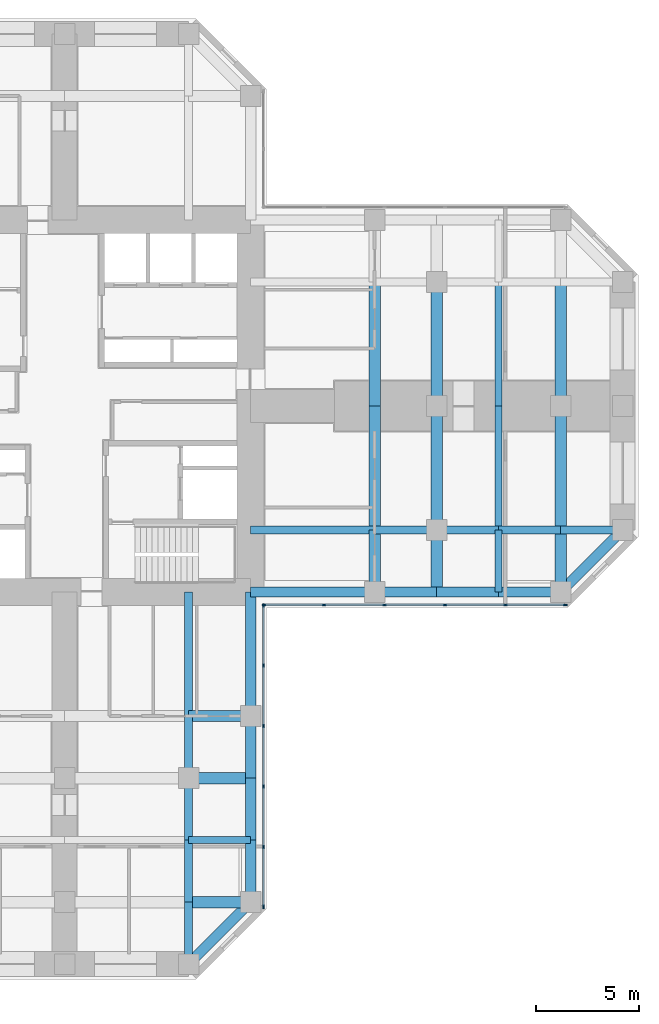
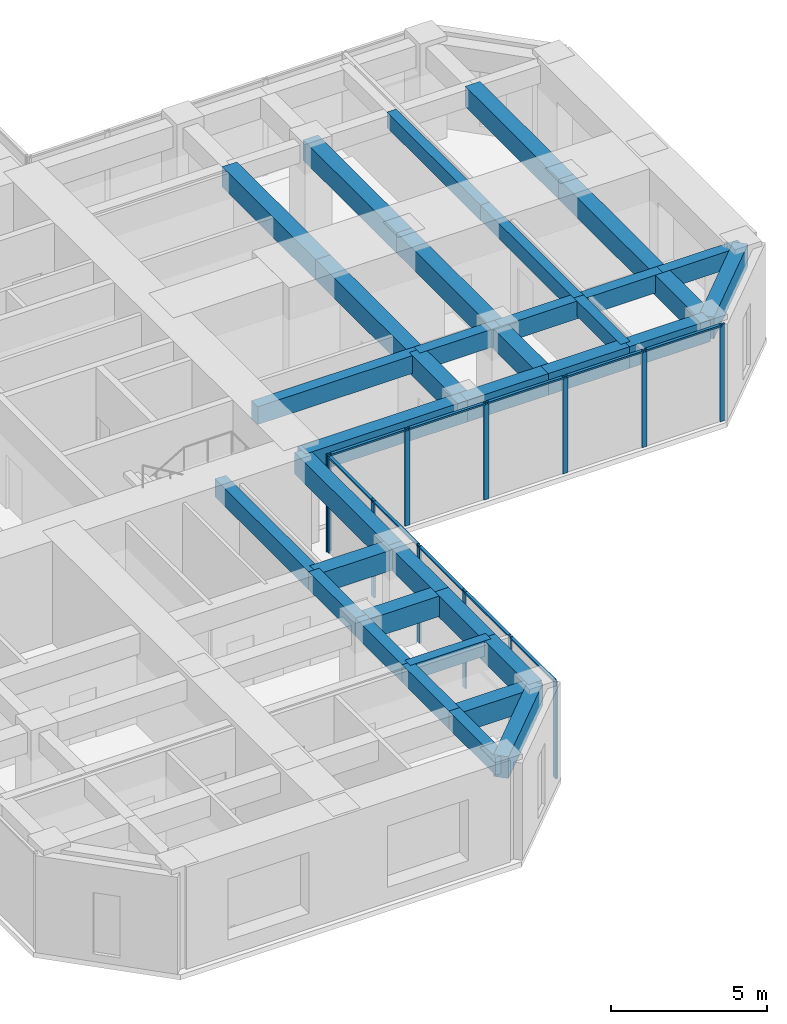
# One storey, part 4 of 13: 36 beams, 22 members, 2 elements without a shape of their own.
"""IFC4 building model written with IfcOpenShell, lengths in metres."""

from ifc_helpers import new_model, si_unit, direction, frame, origin, origin_2d, place, context, subcontext, project, spatial, rectangle, extrude, material, material_profile, profile_set, type_object, element, aggregate, save


model = new_model("IFC4")

# Units and contexts
model_context = context("Model", 3, precision=1e-05, world=origin(), true_north=direction((0.0, 1.0)))
body_context = subcontext(model_context, "Body", "Model", "MODEL_VIEW")
ifc_project = project(units=[si_unit("LENGTHUNIT", "METRE"), si_unit("AREAUNIT", "SQUARE_METRE"), si_unit("VOLUMEUNIT", "CUBIC_METRE"), si_unit("PLANEANGLEUNIT", "RADIAN"), si_unit("MASSUNIT", "GRAM", prefix="KILO")], contexts=[model_context])

# Site, building, storey
site_placement = place(None, origin())
site = spatial("IfcSite", under=ifc_project, at=site_placement, CompositionType="ELEMENT")
building_placement = place(site_placement, origin())
building = spatial("IfcBuilding", under=site, at=building_placement, Name="Torre Cruceta", CompositionType="ELEMENT")
storey_placement = place(building_placement, frame((0.0, 0.0, 152.5)))
storey = spatial("IfcBuildingStorey", under=building, at=storey_placement, Name="L37", CompositionType="ELEMENT", Elevation=152.5)

# Beams
ifc_material_1 = material(Name="Concrete G60 (fck 60 MPa)", Category="concrete")
ifc_material_profile_1 = material_profile(ifc_material_1, rectangle(XDim=0.39990234375, YDim=0.699951171875, at=origin_2d()), Name="RC 400X700")
ifc_profile_set_1 = profile_set([ifc_material_profile_1], Name="Concrete G60 (fck 60 MPa)")
beam_type_1 = type_object("IfcBeamType", Name="COLUMN LINE BEAM RC 400X700", PredefinedType="BEAM", material=ifc_profile_set_1)
beam_1_placement = place(storey_placement, frame((9.0, -6.0, 3.449951171875), z_axis=(1.0, 0.0, 0.0), x_axis=(0.0, 1.0, 0.0)))
element("IfcBeam", 1, at=beam_1_placement, inside=storey, type_object=beam_type_1, Name="LB5 L37 E col- 1", PredefinedType="BEAM", context=body_context, shape_type="SweptSolid", body=[
    extrude(rectangle(XDim=0.39990234375, YDim=0.699951171875, at=origin_2d()), origin(), (0.0, 0.0, 1.0), 6.0),
])
for number, where, z_axis, x_axis, name in (
    (2, (15.0, -6.0, 3.449951171875), (1.0, 0.0, 0.0), (0.0, 1.0, 0.0), "LB5 L37 E col- 2"),
    (3, (18.0, -6.0, 3.449951171875), (1.0, 0.0, 0.0), (0.0, 1.0, 0.0), "LB5 L37 E col- 3"),
    (4, (21.0, -6.0, 3.449951171875), (1.0, 0.0, 0.0), (0.0, 1.0, 0.0), "LB5 L37 E col- 4"),
    (5, (24.0, -6.0, 3.449951171875), (1.0, 0.0, 0.0), (0.0, 1.0, 0.0), "LB5 L37 E col- 5"),
):
    element("IfcBeam", number, at=place(storey_placement, frame(where, z_axis=z_axis, x_axis=x_axis)), inside=storey, type_object=beam_type_1, Name=name, PredefinedType="BEAM", context=body_context, shape_type="SweptSolid", body=[
        extrude(rectangle(XDim=0.39990234375, YDim=0.699951171875, at=origin_2d()), origin(), (0.0, 0.0, 1.0), 3.0),
    ])
beam_2_placement = place(storey_placement, frame((6.0, -9.0, 3.449951171875), z_axis=(0.0, -1.0, 0.0), x_axis=(1.0, 0.0, 0.0)))
element("IfcBeam", 6, at=beam_2_placement, inside=storey, type_object=beam_type_1, Name="LB5 L37 S col+ 1", PredefinedType="BEAM", context=body_context, shape_type="SweptSolid", body=[
    extrude(rectangle(XDim=0.39990234375, YDim=0.699951171875, at=origin_2d()), origin(), (0.0, 0.0, 1.0), 6.0),
])
for number, where, z_axis, x_axis, name in (
    (7, (6.0, -15.0, 3.449951171875), (0.0, -1.0, 0.0), (1.0, 0.0, 0.0), "LB5 L37 S col+ 2"),
    (8, (6.0, -18.0, 3.449951171875), (0.0, -1.0, 0.0), (1.0, 0.0, 0.0), "LB5 L37 S col+ 3"),
    (9, (6.0, -21.0, 3.449951171875), (0.0, -1.0, 0.0), (1.0, 0.0, 0.0), "LB5 L37 S col+ 4"),
    (10, (6.0, -24.0, 3.449951171875), (0.0, -1.0, 0.0), (1.0, 0.0, 0.0), "LB5 L37 S col+ 5"),
):
    element("IfcBeam", number, at=place(storey_placement, frame(where, z_axis=z_axis, x_axis=x_axis)), inside=storey, type_object=beam_type_1, Name=name, PredefinedType="BEAM", context=body_context, shape_type="SweptSolid", body=[
        extrude(rectangle(XDim=0.39990234375, YDim=0.699951171875, at=origin_2d()), origin(), (0.0, 0.0, 1.0), 3.0),
    ])
ifc_material_2 = material(Name="Concrete G60 (fck 60 MPa)", Category="concrete")
ifc_material_profile_2 = material_profile(ifc_material_2, rectangle(XDim=0.550048828125, YDim=0.800048828125, at=origin_2d()), Name="RC 550X800")
ifc_profile_set_2 = profile_set([ifc_material_profile_2], Name="Concrete G60 (fck 60 MPa)")
beam_type_2 = type_object("IfcBeamType", Name="CROSS BEAM RC 550X800", PredefinedType="BEAM", material=ifc_profile_set_2)
beam_3_placement = place(storey_placement, frame((15.0, -9.0, 3.39990234375), z_axis=(0.0, 1.0, 0.0), x_axis=(-1.0, 0.0, 0.0)))
element("IfcBeam", 11, at=beam_3_placement, inside=storey, type_object=beam_type_2, Name="GB5 L37 E cross15 1", PredefinedType="BEAM", context=body_context, shape_type="SweptSolid", body=[
    extrude(rectangle(XDim=0.550048828125, YDim=0.800048828125, at=origin_2d()), origin(), (0.0, 0.0, 1.0), 3.0),
])
for number, where, z_axis, x_axis, name in (
    (12, (15.0, -6.0, 3.39990234375), (0.0, 1.0, 0.0), (-1.0, 0.0, 0.0), "GB5 L37 E cross15 2"),
    (13, (15.0, 0.0, 3.39990234375), (0.0, 1.0, 0.0), (-1.0, 0.0, 0.0), "GB5 L37 E cross15 3"),
):
    element("IfcBeam", number, at=place(storey_placement, frame(where, z_axis=z_axis, x_axis=x_axis)), inside=storey, type_object=beam_type_2, Name=name, PredefinedType="BEAM", context=body_context, shape_type="SweptSolid", body=[
        extrude(rectangle(XDim=0.550048828125, YDim=0.800048828125, at=origin_2d()), origin(), (0.0, 0.0, 1.0), 6.0),
    ])
beam_4_placement = place(storey_placement, frame((18.0, -9.0, 3.39990234375), z_axis=(0.0, 1.0, 0.0), x_axis=(-1.0, 0.0, 0.0)))
element("IfcBeam", 14, at=beam_4_placement, inside=storey, type_object=beam_type_2, Name="GB5 L37 E cross18 1", PredefinedType="BEAM", context=body_context, shape_type="SweptSolid", body=[
    extrude(rectangle(XDim=0.550048828125, YDim=0.800048828125, at=origin_2d()), origin(), (0.0, 0.0, 1.0), 3.0),
])
for number, where, z_axis, x_axis, name in (
    (15, (18.0, -6.0, 3.39990234375), (0.0, 1.0, 0.0), (-1.0, 0.0, 0.0), "GB5 L37 E cross18 2"),
    (16, (18.0, 0.0, 3.39990234375), (0.0, 1.0, 0.0), (-1.0, 0.0, 0.0), "GB5 L37 E cross18 3"),
):
    element("IfcBeam", number, at=place(storey_placement, frame(where, z_axis=z_axis, x_axis=x_axis)), inside=storey, type_object=beam_type_2, Name=name, PredefinedType="BEAM", context=body_context, shape_type="SweptSolid", body=[
        extrude(rectangle(XDim=0.550048828125, YDim=0.800048828125, at=origin_2d()), origin(), (0.0, 0.0, 1.0), 6.0),
    ])
beam_5_placement = place(storey_placement, frame((24.0, -9.0, 3.39990234375), z_axis=(0.0, 1.0, 0.0), x_axis=(-1.0, 0.0, 0.0)))
element("IfcBeam", 17, at=beam_5_placement, inside=storey, type_object=beam_type_2, Name="GB5 L37 E cross24 1", PredefinedType="BEAM", context=body_context, shape_type="SweptSolid", body=[
    extrude(rectangle(XDim=0.550048828125, YDim=0.800048828125, at=origin_2d()), origin(), (0.0, 0.0, 1.0), 3.0),
])
for number, where, z_axis, x_axis, name in (
    (18, (24.0, -6.0, 3.39990234375), (0.0, 1.0, 0.0), (-1.0, 0.0, 0.0), "GB5 L37 E cross24 2"),
    (19, (24.0, 0.0, 3.39990234375), (0.0, 1.0, 0.0), (-1.0, 0.0, 0.0), "GB5 L37 E cross24 3"),
):
    element("IfcBeam", number, at=place(storey_placement, frame(where, z_axis=z_axis, x_axis=x_axis)), inside=storey, type_object=beam_type_2, Name=name, PredefinedType="BEAM", context=body_context, shape_type="SweptSolid", body=[
        extrude(rectangle(XDim=0.550048828125, YDim=0.800048828125, at=origin_2d()), origin(), (0.0, 0.0, 1.0), 6.0),
    ])
for number, where, z_axis, x_axis, name in (
    (20, (6.0, -15.0, 3.39990234375), (1.0, 0.0, 0.0), (0.0, 1.0, 0.0), "GB5 L37 S cross15 4"),
    (21, (6.0, -18.0, 3.39990234375), (1.0, 0.0, 0.0), (0.0, 1.0, 0.0), "GB5 L37 S cross18 4"),
    (22, (6.0, -24.0, 3.39990234375), (1.0, 0.0, 0.0), (0.0, 1.0, 0.0), "GB5 L37 S cross24 4"),
):
    element("IfcBeam", number, at=place(storey_placement, frame(where, z_axis=z_axis, x_axis=x_axis)), inside=storey, type_object=beam_type_2, Name=name, PredefinedType="BEAM", context=body_context, shape_type="SweptSolid", body=[
        extrude(rectangle(XDim=0.550048828125, YDim=0.800048828125, at=origin_2d()), origin(), (0.0, 0.0, 1.0), 3.0),
    ])

# Curtain wall, members
ifc_material_3 = material(Name="Aluminium unitised curtain wall", Category="aluminium")
curtain_wall_type = type_object("IfcCurtainWallType", Name="CURTAIN WALL CW-B OFFICE MID RISE", PredefinedType="USERDEFINED", material=ifc_material_3)
curtain_wall_1_placement = place(storey_placement, origin())
curtain_wall_1 = element("IfcCurtainWall", 23, at=curtain_wall_1_placement, inside=storey, type_object=curtain_wall_type, Name="CW-B L37 E side 00", ObjectType="UNITISED", PredefinedType="USERDEFINED")
ifc_material_4 = material(Name="Aluminium mullion", Category="aluminium")
ifc_material_profile_3 = material_profile(ifc_material_4, rectangle(XDim=0.06494140625, YDim=0.179931640625, at=origin_2d()), Name="AL 65X180")
ifc_profile_set_3 = profile_set([ifc_material_profile_3], Name="Aluminium mullion")
member_type_1 = type_object("IfcMemberType", Name="CW-B MULLION 65X180", PredefinedType="MULLION", material=ifc_profile_set_3)
member_1_placement = place(storey_placement, frame((9.652587890625, -9.6201171875, 0.0), z_axis=(0.0, 0.0, 1.0), x_axis=(0.0, 1.0, 0.0)))
member_1 = element("IfcMember", 24, at=member_1_placement, type_object=member_type_1, Name="CW-B mullion 1", PredefinedType="MULLION", context=body_context, shape_type="SweptSolid", body=[
    extrude(rectangle(XDim=0.06494140625, YDim=0.179931640625, at=origin_2d()), origin(), (0.0, 0.0, 1.0), 3.800048828125),
])
member_2_placement = place(storey_placement, frame((12.54736328125, -9.6201171875, 0.0), z_axis=(0.0, 0.0, 1.0), x_axis=(0.0, 1.0, 0.0)))
member_2 = element("IfcMember", 25, at=member_2_placement, type_object=member_type_1, Name="CW-B mullion 2", PredefinedType="MULLION", context=body_context, shape_type="SweptSolid", body=[
    extrude(rectangle(XDim=0.06494140625, YDim=0.179931640625, at=origin_2d()), origin(), (0.0, 0.0, 1.0), 3.800048828125),
])
member_3_placement = place(storey_placement, frame((15.474609375, -9.6201171875, 0.0), z_axis=(0.0, 0.0, 1.0), x_axis=(0.0, 1.0, 0.0)))
member_3 = element("IfcMember", 26, at=member_3_placement, type_object=member_type_1, Name="CW-B mullion 3", PredefinedType="MULLION", context=body_context, shape_type="SweptSolid", body=[
    extrude(rectangle(XDim=0.06494140625, YDim=0.179931640625, at=origin_2d()), origin(), (0.0, 0.0, 1.0), 3.800048828125),
])
member_4_placement = place(storey_placement, frame((18.402099609375, -9.6201171875, 0.0), z_axis=(0.0, 0.0, 1.0), x_axis=(0.0, 1.0, 0.0)))
member_4 = element("IfcMember", 27, at=member_4_placement, type_object=member_type_1, Name="CW-B mullion 4", PredefinedType="MULLION", context=body_context, shape_type="SweptSolid", body=[
    extrude(rectangle(XDim=0.06494140625, YDim=0.179931640625, at=origin_2d()), origin(), (0.0, 0.0, 1.0), 3.800048828125),
])
member_5_placement = place(storey_placement, frame((21.329345703125, -9.6201171875, 0.0), z_axis=(0.0, 0.0, 1.0), x_axis=(0.0, 1.0, 0.0)))
member_5 = element("IfcMember", 28, at=member_5_placement, type_object=member_type_1, Name="CW-B mullion 5", PredefinedType="MULLION", context=body_context, shape_type="SweptSolid", body=[
    extrude(rectangle(XDim=0.06494140625, YDim=0.179931640625, at=origin_2d()), origin(), (0.0, 0.0, 1.0), 3.800048828125),
])
member_6_placement = place(storey_placement, frame((24.224365234375, -9.6201171875, 0.0), z_axis=(0.0, 0.0, 1.0), x_axis=(0.0, 1.0, 0.0)))
member_6 = element("IfcMember", 29, at=member_6_placement, type_object=member_type_1, Name="CW-B mullion 6", PredefinedType="MULLION", context=body_context, shape_type="SweptSolid", body=[
    extrude(rectangle(XDim=0.06494140625, YDim=0.179931640625, at=origin_2d()), origin(), (0.0, 0.0, 1.0), 3.800048828125),
])

curtain_wall_2_placement = place(storey_placement, origin())
curtain_wall_2 = element("IfcCurtainWall", 30, at=curtain_wall_2_placement, inside=storey, type_object=curtain_wall_type, Name="CW-B L37 S side 19", ObjectType="UNITISED", PredefinedType="USERDEFINED")
member_7_placement = place(storey_placement, frame((9.6201171875, -24.224365234375, 0.0), z_axis=(0.0, 0.0, 1.0), x_axis=(-1.0, 0.0, 0.0)))
member_7 = element("IfcMember", 31, at=member_7_placement, type_object=member_type_1, Name="CW-B mullion 1", PredefinedType="MULLION", context=body_context, shape_type="SweptSolid", body=[
    extrude(rectangle(XDim=0.06494140625, YDim=0.179931640625, at=origin_2d()), origin(), (0.0, 0.0, 1.0), 3.800048828125),
])
member_8_placement = place(storey_placement, frame((9.6201171875, -21.329345703125, 0.0), z_axis=(0.0, 0.0, 1.0), x_axis=(-1.0, 0.0, 0.0)))
member_8 = element("IfcMember", 32, at=member_8_placement, type_object=member_type_1, Name="CW-B mullion 2", PredefinedType="MULLION", context=body_context, shape_type="SweptSolid", body=[
    extrude(rectangle(XDim=0.06494140625, YDim=0.179931640625, at=origin_2d()), origin(), (0.0, 0.0, 1.0), 3.800048828125),
])
member_9_placement = place(storey_placement, frame((9.6201171875, -18.402099609375, 0.0), z_axis=(0.0, 0.0, 1.0), x_axis=(-1.0, 0.0, 0.0)))
member_9 = element("IfcMember", 33, at=member_9_placement, type_object=member_type_1, Name="CW-B mullion 3", PredefinedType="MULLION", context=body_context, shape_type="SweptSolid", body=[
    extrude(rectangle(XDim=0.06494140625, YDim=0.179931640625, at=origin_2d()), origin(), (0.0, 0.0, 1.0), 3.800048828125),
])
member_10_placement = place(storey_placement, frame((9.6201171875, -15.474609375, 0.0), z_axis=(0.0, 0.0, 1.0), x_axis=(-1.0, 0.0, 0.0)))
member_10 = element("IfcMember", 34, at=member_10_placement, type_object=member_type_1, Name="CW-B mullion 4", PredefinedType="MULLION", context=body_context, shape_type="SweptSolid", body=[
    extrude(rectangle(XDim=0.06494140625, YDim=0.179931640625, at=origin_2d()), origin(), (0.0, 0.0, 1.0), 3.800048828125),
])
member_11_placement = place(storey_placement, frame((9.6201171875, -12.54736328125, 0.0), z_axis=(0.0, 0.0, 1.0), x_axis=(-1.0, 0.0, 0.0)))
member_11 = element("IfcMember", 35, at=member_11_placement, type_object=member_type_1, Name="CW-B mullion 5", PredefinedType="MULLION", context=body_context, shape_type="SweptSolid", body=[
    extrude(rectangle(XDim=0.06494140625, YDim=0.179931640625, at=origin_2d()), origin(), (0.0, 0.0, 1.0), 3.800048828125),
])
member_12_placement = place(storey_placement, frame((9.6201171875, -9.652587890625, 0.0), z_axis=(0.0, 0.0, 1.0), x_axis=(-1.0, 0.0, 0.0)))
member_12 = element("IfcMember", 36, at=member_12_placement, type_object=member_type_1, Name="CW-B mullion 6", PredefinedType="MULLION", context=body_context, shape_type="SweptSolid", body=[
    extrude(rectangle(XDim=0.06494140625, YDim=0.179931640625, at=origin_2d()), origin(), (0.0, 0.0, 1.0), 3.800048828125),
])

# Member
ifc_material_5 = material(Name="Aluminium transom", Category="aluminium")
ifc_material_profile_4 = material_profile(ifc_material_5, rectangle(XDim=0.110107421875, YDim=0.06494140625, at=origin_2d()), Name="AL 110X65")
ifc_profile_set_4 = profile_set([ifc_material_profile_4], Name="Aluminium transom")
member_type_2 = type_object("IfcMemberType", Name="CW-B TRANSOM 65X110", PredefinedType="USERDEFINED", material=ifc_profile_set_4)
member_13_placement = place(storey_placement, frame((9.68505859375, -9.6201171875, 3.767578125), z_axis=(1.0, 0.0, 0.0), x_axis=(0.0, 1.0, 0.0)))
member_13 = element("IfcMember", 37, at=member_13_placement, type_object=member_type_2, Name="CW-B transom 1", ObjectType="TRANSOM", PredefinedType="USERDEFINED", context=body_context, shape_type="SweptSolid", body=[
    extrude(rectangle(XDim=0.110107421875, YDim=0.06494140625, at=origin_2d()), origin(), (0.0, 0.0, 1.0), 2.829833984375),
])

member_14_placement = place(storey_placement, frame((12.579833984375, -9.6201171875, 3.767578125), z_axis=(1.0, 0.0, 0.0), x_axis=(0.0, 1.0, 0.0)))
member_14 = element("IfcMember", 38, at=member_14_placement, type_object=member_type_2, Name="CW-B transom 2", ObjectType="TRANSOM", PredefinedType="USERDEFINED", context=body_context, shape_type="SweptSolid", body=[
    extrude(rectangle(XDim=0.110107421875, YDim=0.06494140625, at=origin_2d()), origin(), (0.0, 0.0, 1.0), 2.8623046875),
])

member_15_placement = place(storey_placement, frame((15.50732421875, -9.6201171875, 3.767578125), z_axis=(1.0, 0.0, 0.0), x_axis=(0.0, 1.0, 0.0)))
member_15 = element("IfcMember", 39, at=member_15_placement, type_object=member_type_2, Name="CW-B transom 3", ObjectType="TRANSOM", PredefinedType="USERDEFINED", context=body_context, shape_type="SweptSolid", body=[
    extrude(rectangle(XDim=0.110107421875, YDim=0.06494140625, at=origin_2d()), origin(), (0.0, 0.0, 1.0), 2.8623046875),
])

member_16_placement = place(storey_placement, frame((18.4345703125, -9.6201171875, 3.767578125), z_axis=(1.0, 0.0, 0.0), x_axis=(0.0, 1.0, 0.0)))
member_16 = element("IfcMember", 40, at=member_16_placement, type_object=member_type_2, Name="CW-B transom 4", ObjectType="TRANSOM", PredefinedType="USERDEFINED", context=body_context, shape_type="SweptSolid", body=[
    extrude(rectangle(XDim=0.110107421875, YDim=0.06494140625, at=origin_2d()), origin(), (0.0, 0.0, 1.0), 2.8623046875),
])

member_17_placement = place(storey_placement, frame((21.362060546875, -9.6201171875, 3.767578125), z_axis=(1.0, 0.0, 0.0), x_axis=(0.0, 1.0, 0.0)))
member_17 = element("IfcMember", 41, at=member_17_placement, type_object=member_type_2, Name="CW-B transom 5", ObjectType="TRANSOM", PredefinedType="USERDEFINED", context=body_context, shape_type="SweptSolid", body=[
    extrude(rectangle(XDim=0.110107421875, YDim=0.06494140625, at=origin_2d()), origin(), (0.0, 0.0, 1.0), 2.829833984375),
])

aggregate(curtain_wall_1, [member_1, member_2, member_3, member_4, member_5, member_6, member_13, member_14, member_15, member_16, member_17])

member_18_placement = place(storey_placement, frame((9.6201171875, -24.19189453125, 3.767578125), z_axis=(0.0, 1.0, 0.0), x_axis=(-1.0, 0.0, 0.0)))
member_18 = element("IfcMember", 42, at=member_18_placement, type_object=member_type_2, Name="CW-B transom 1", ObjectType="TRANSOM", PredefinedType="USERDEFINED", context=body_context, shape_type="SweptSolid", body=[
    extrude(rectangle(XDim=0.110107421875, YDim=0.06494140625, at=origin_2d()), origin(), (0.0, 0.0, 1.0), 2.829833984375),
])

member_19_placement = place(storey_placement, frame((9.6201171875, -21.296875, 3.767578125), z_axis=(0.0, 1.0, 0.0), x_axis=(-1.0, 0.0, 0.0)))
member_19 = element("IfcMember", 43, at=member_19_placement, type_object=member_type_2, Name="CW-B transom 2", ObjectType="TRANSOM", PredefinedType="USERDEFINED", context=body_context, shape_type="SweptSolid", body=[
    extrude(rectangle(XDim=0.110107421875, YDim=0.06494140625, at=origin_2d()), origin(), (0.0, 0.0, 1.0), 2.8623046875),
])

member_20_placement = place(storey_placement, frame((9.6201171875, -18.36962890625, 3.767578125), z_axis=(0.0, 1.0, 0.0), x_axis=(-1.0, 0.0, 0.0)))
member_20 = element("IfcMember", 44, at=member_20_placement, type_object=member_type_2, Name="CW-B transom 3", ObjectType="TRANSOM", PredefinedType="USERDEFINED", context=body_context, shape_type="SweptSolid", body=[
    extrude(rectangle(XDim=0.110107421875, YDim=0.06494140625, at=origin_2d()), origin(), (0.0, 0.0, 1.0), 2.8623046875),
])

member_21_placement = place(storey_placement, frame((9.6201171875, -15.442138671875, 3.767578125), z_axis=(0.0, 1.0, 0.0), x_axis=(-1.0, 0.0, 0.0)))
member_21 = element("IfcMember", 45, at=member_21_placement, type_object=member_type_2, Name="CW-B transom 4", ObjectType="TRANSOM", PredefinedType="USERDEFINED", context=body_context, shape_type="SweptSolid", body=[
    extrude(rectangle(XDim=0.110107421875, YDim=0.06494140625, at=origin_2d()), origin(), (0.0, 0.0, 1.0), 2.8623046875),
])

member_22_placement = place(storey_placement, frame((9.6201171875, -12.514892578125, 3.767578125), z_axis=(0.0, 1.0, 0.0), x_axis=(-1.0, 0.0, 0.0)))
member_22 = element("IfcMember", 46, at=member_22_placement, type_object=member_type_2, Name="CW-B transom 5", ObjectType="TRANSOM", PredefinedType="USERDEFINED", context=body_context, shape_type="SweptSolid", body=[
    extrude(rectangle(XDim=0.110107421875, YDim=0.06494140625, at=origin_2d()), origin(), (0.0, 0.0, 1.0), 2.829833984375),
])

aggregate(curtain_wall_2, [member_7, member_8, member_9, member_10, member_11, member_12, member_18, member_19, member_20, member_21, member_22])

# Beams
ifc_material_6 = material(Name="Concrete G60 (fck 60 MPa)", Category="concrete")
ifc_material_profile_5 = material_profile(ifc_material_6, rectangle(XDim=0.35009765625, YDim=0.60009765625, at=origin_2d()), Name="RC 350X600")
ifc_profile_set_5 = profile_set([ifc_material_profile_5], Name="Concrete G60 (fck 60 MPa)")
beam_type_3 = type_object("IfcBeamType", Name="SECONDARY BEAM RC 350X600", PredefinedType="JOIST", material=ifc_profile_set_5)
beam_6_placement = place(storey_placement, frame((21.0, -9.0, 3.5), z_axis=(0.0, 1.0, 0.0), x_axis=(-1.0, 0.0, 0.0)))
element("IfcBeam", 47, at=beam_6_placement, inside=storey, type_object=beam_type_3, Name="JB5 L37 E sec21 1", PredefinedType="JOIST", context=body_context, shape_type="SweptSolid", body=[
    extrude(rectangle(XDim=0.35009765625, YDim=0.60009765625, at=origin_2d()), origin(), (0.0, 0.0, 1.0), 3.0),
])
for number, where, z_axis, x_axis, name in (
    (48, (21.0, -6.0, 3.5), (0.0, 1.0, 0.0), (-1.0, 0.0, 0.0), "JB5 L37 E sec21 2"),
    (49, (21.0, 0.0, 3.5), (0.0, 1.0, 0.0), (-1.0, 0.0, 0.0), "JB5 L37 E sec21 3"),
):
    element("IfcBeam", number, at=place(storey_placement, frame(where, z_axis=z_axis, x_axis=x_axis)), inside=storey, type_object=beam_type_3, Name=name, PredefinedType="JOIST", context=body_context, shape_type="SweptSolid", body=[
        extrude(rectangle(XDim=0.35009765625, YDim=0.60009765625, at=origin_2d()), origin(), (0.0, 0.0, 1.0), 6.0),
    ])
beam_7_placement = place(storey_placement, frame((6.0, -21.0, 3.5), z_axis=(1.0, 0.0, 0.0), x_axis=(0.0, 1.0, 0.0)))
element("IfcBeam", 50, at=beam_7_placement, inside=storey, type_object=beam_type_3, Name="JB5 L37 S sec21 4", PredefinedType="JOIST", context=body_context, shape_type="SweptSolid", body=[
    extrude(rectangle(XDim=0.35009765625, YDim=0.60009765625, at=origin_2d()), origin(), (0.0, 0.0, 1.0), 3.0),
])
ifc_material_7 = material(Name="Concrete G60 (fck 60 MPa)", Category="concrete")
ifc_material_profile_6 = material_profile(ifc_material_7, rectangle(XDim=0.5, YDim=0.85009765625, at=origin_2d()), Name="RC 500X850")
ifc_profile_set_6 = profile_set([ifc_material_profile_6], Name="Concrete G60 (fck 60 MPa)")
beam_type_4 = type_object("IfcBeamType", Name="SPANDREL BEAM RC 500X850", PredefinedType="SPANDREL", material=ifc_profile_set_6)
beam_8_placement = place(storey_placement, frame((9.0, -9.0, 3.375), z_axis=(1.0, 0.0, 0.0), x_axis=(0.0, 1.0, 0.0)))
element("IfcBeam", 51, at=beam_8_placement, inside=storey, type_object=beam_type_4, Name="SB5 L37 E side- 1", PredefinedType="SPANDREL", context=body_context, shape_type="SweptSolid", body=[
    extrude(rectangle(XDim=0.5, YDim=0.85009765625, at=origin_2d()), origin(), (0.0, 0.0, 1.0), 6.0),
])
for number, where, z_axis, x_axis, name in (
    (52, (15.0, -9.0, 3.375), (1.0, 0.0, 0.0), (0.0, 1.0, 0.0), "SB5 L37 E side- 2"),
    (53, (18.0, -9.0, 3.375), (1.0, 0.0, 0.0), (0.0, 1.0, 0.0), "SB5 L37 E side- 3"),
    (54, (21.0, -9.0, 3.375), (1.0, 0.0, 0.0), (0.0, 1.0, 0.0), "SB5 L37 E side- 4"),
):
    element("IfcBeam", number, at=place(storey_placement, frame(where, z_axis=z_axis, x_axis=x_axis)), inside=storey, type_object=beam_type_4, Name=name, PredefinedType="SPANDREL", context=body_context, shape_type="SweptSolid", body=[
        extrude(rectangle(XDim=0.5, YDim=0.85009765625, at=origin_2d()), origin(), (0.0, 0.0, 1.0), 3.0),
    ])
beam_9_placement = place(storey_placement, frame((24.0, -9.0, 3.375), z_axis=(0.707106781187, 0.707106781187, 0.0), x_axis=(-0.707106781187, 0.707106781187, 0.0)))
element("IfcBeam", 55, at=beam_9_placement, inside=storey, type_object=beam_type_4, Name="SB5 L37 E side- 5", PredefinedType="SPANDREL", context=body_context, shape_type="SweptSolid", body=[
    extrude(rectangle(XDim=0.5, YDim=0.85009765625, at=origin_2d()), origin(), (0.0, 0.0, 1.0), 4.24267578125),
])
beam_10_placement = place(storey_placement, frame((9.0, -9.0, 3.375), z_axis=(0.0, -1.0, 0.0), x_axis=(1.0, 0.0, 0.0)))
element("IfcBeam", 56, at=beam_10_placement, inside=storey, type_object=beam_type_4, Name="SB5 L37 S side+ 1", PredefinedType="SPANDREL", context=body_context, shape_type="SweptSolid", body=[
    extrude(rectangle(XDim=0.5, YDim=0.85009765625, at=origin_2d()), origin(), (0.0, 0.0, 1.0), 6.0),
])
for number, where, z_axis, x_axis, name in (
    (57, (9.0, -15.0, 3.375), (0.0, -1.0, 0.0), (1.0, 0.0, 0.0), "SB5 L37 S side+ 2"),
    (58, (9.0, -18.0, 3.375), (0.0, -1.0, 0.0), (1.0, 0.0, 0.0), "SB5 L37 S side+ 3"),
    (59, (9.0, -21.0, 3.375), (0.0, -1.0, 0.0), (1.0, 0.0, 0.0), "SB5 L37 S side+ 4"),
):
    element("IfcBeam", number, at=place(storey_placement, frame(where, z_axis=z_axis, x_axis=x_axis)), inside=storey, type_object=beam_type_4, Name=name, PredefinedType="SPANDREL", context=body_context, shape_type="SweptSolid", body=[
        extrude(rectangle(XDim=0.5, YDim=0.85009765625, at=origin_2d()), origin(), (0.0, 0.0, 1.0), 3.0),
    ])
beam_11_placement = place(storey_placement, frame((9.0, -24.0, 3.375), z_axis=(-0.707106781187, -0.707106781187, 0.0), x_axis=(0.707106781187, -0.707106781187, 0.0)))
element("IfcBeam", 60, at=beam_11_placement, inside=storey, type_object=beam_type_4, Name="SB5 L37 S side+ 5", PredefinedType="SPANDREL", context=body_context, shape_type="SweptSolid", body=[
    extrude(rectangle(XDim=0.5, YDim=0.85009765625, at=origin_2d()), origin(), (0.0, 0.0, 1.0), 4.24267578125),
])

save(model, "model.ifc")
